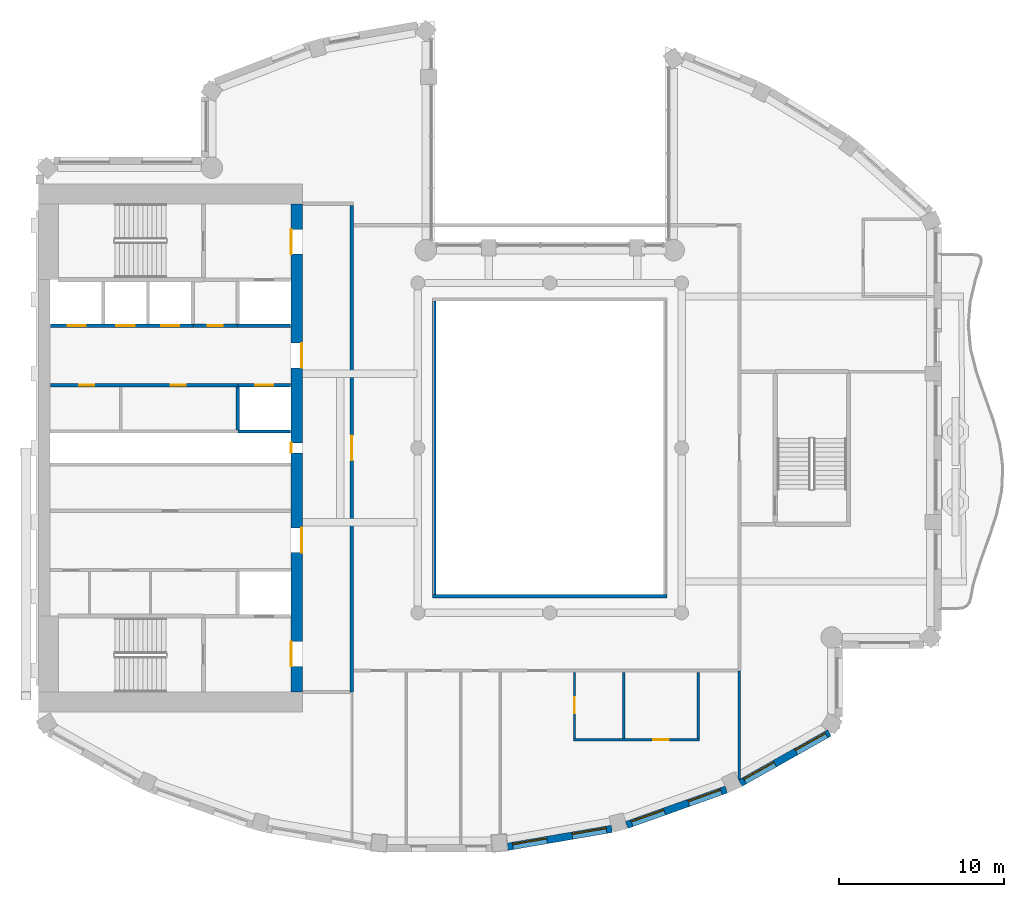
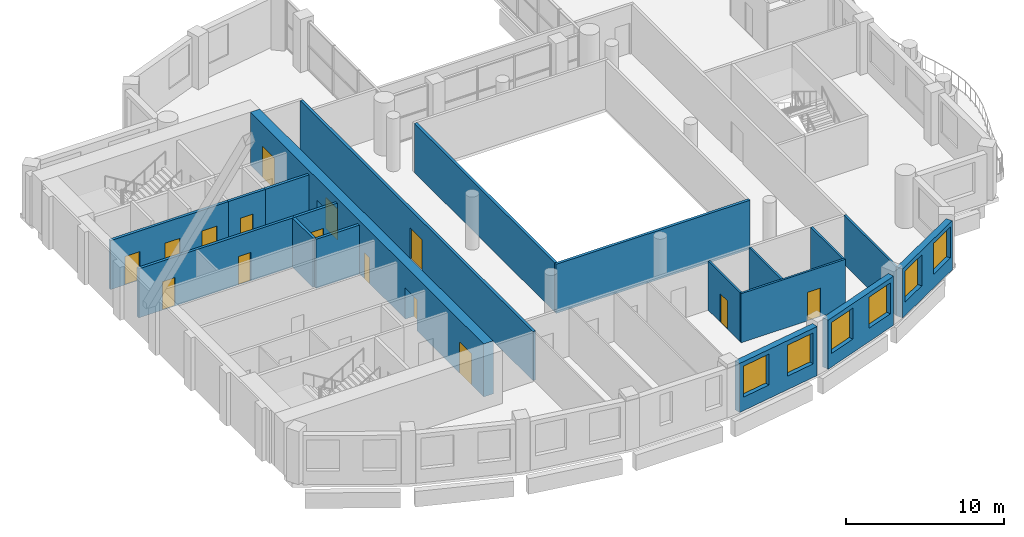
# One storey, part 5 of 15: 19 walls, 15 doors, 6 windows, 21 openings.
"""IFC4 building model written with IfcOpenShell, lengths in metres."""

from ifc_helpers import new_model, si_unit, direction, frame, frame_2d, origin, place, context, subcontext, project, spatial, rectangle, extrude, material, layer, layer_set, type_object, element, fill, save


model = new_model("IFC4")

# Units and contexts
model_context = context("Model", 3, precision=1e-05, world=origin(), true_north=direction((0.0, 1.0)))
body_context = subcontext(model_context, "Body", "Model", "MODEL_VIEW")
ifc_project = project(units=[si_unit("LENGTHUNIT", "METRE"), si_unit("AREAUNIT", "SQUARE_METRE"), si_unit("VOLUMEUNIT", "CUBIC_METRE"), si_unit("PLANEANGLEUNIT", "RADIAN"), si_unit("MASSUNIT", "GRAM", prefix="KILO")], contexts=[model_context])

# Site, building, storey
site_placement = place(None, origin())
site = spatial("IfcSite", under=ifc_project, at=site_placement, CompositionType="ELEMENT")
building_placement = place(site_placement, origin())
building = spatial("IfcBuilding", under=site, at=building_placement, Name="Cypress Arch Tower", CompositionType="ELEMENT")
storey_placement = place(building_placement, frame((0.0, 0.0, 259.800048828125)))
storey = spatial("IfcBuildingStorey", under=building, at=storey_placement, Name="L58", CompositionType="ELEMENT", Elevation=259.800048828125)

# Wall, openings, windows
ifc_material_1 = material(Name="Brick (red buff blend)", Category="masonry")
ifc_layer_1 = layer(ifc_material_1, 0.449951171875)
ifc_layer_set_1 = layer_set([ifc_layer_1], Name="Brick pier and spandrel wall BW450")
wall_type_1 = type_object("IfcWallType", Name="Brick pier and spandrel wall BW450", PredefinedType="SOLIDWALL", material=ifc_layer_set_1)
wall_1_placement = place(storey_placement, frame((-1.562255859375, -24.18505859375, 0.0), z_axis=(0.0, 0.0, 1.0), x_axis=(0.985502073964, 0.169663379113, 0.0)))
wall_1 = element("IfcWall", 1, at=wall_1_placement, inside=storey, type_object=wall_type_1, Name="Brick wall L58 C12.0", PredefinedType="SOLIDWALL", context=body_context, shape_type="SweptSolid", body=[
    extrude(rectangle(XDim=6.412109375, YDim=0.449951171875, at=frame_2d((3.2060546875, 0.0))), origin(), (0.0, 0.0, 1.0), 3.800048828125),
])
opening_1_placement = place(wall_1_placement, frame((0.3271484375, 0.0, 1.050048828125)))
opening_1 = element("IfcOpeningElement", 2, at=opening_1_placement, cuts=wall_1, Name="Opening W210O", PredefinedType="OPENING", context=body_context, shape_type="SweptSolid", body=[
    extrude(rectangle(XDim=2.10009765625, YDim=2.39990234375, at=frame_2d((1.050048828125, 1.199951171875))), frame((0.0, 0.23486328125, 0.0), z_axis=(0.0, -1.0, 0.0), x_axis=(1.0, 0.0, 0.0)), (0.0, 0.0, 1.0), 0.469970703125),
])
opening_2_placement = place(wall_1_placement, frame((3.98486328125, 0.0, 1.050048828125)))
opening_2 = element("IfcOpeningElement", 3, at=opening_2_placement, cuts=wall_1, Name="Opening W210O", PredefinedType="OPENING", context=body_context, shape_type="SweptSolid", body=[
    extrude(rectangle(XDim=2.10009765625, YDim=2.39990234375, at=frame_2d((1.050048828125, 1.199951171875))), frame((0.0, 0.23486328125, 0.0), z_axis=(0.0, -1.0, 0.0), x_axis=(1.0, 0.0, 0.0)), (0.0, 0.0, 1.0), 0.469970703125),
])
ifc_material_2 = material(Name="Anodised aluminium, bronze finish, clear low-emissivity double glazing", Category="aluminium")
window_type = type_object("IfcWindowType", Name="Window Office 2100x2400", PartitioningType="SINGLE_PANEL", PredefinedType="WINDOW", material=ifc_material_2)
window_1_placement = place(opening_1_placement, origin())
window_1 = element("IfcWindow", 4, at=window_1_placement, inside=storey, type_object=window_type, Name="Window L58 C12.0.1", OverallHeight=2.39990234375, OverallWidth=2.10009765625, PartitioningType="SINGLE_PANEL", PredefinedType="WINDOW", context=body_context, shape_type="SweptSolid", body=[
    extrude(rectangle(XDim=2.10009765625, YDim=2.39990234375, at=frame_2d((1.050048828125, 1.199951171875))), frame((0.0, 0.135009765625, 0.0), z_axis=(0.0, -1.0, 0.0), x_axis=(1.0, 0.0, 0.0)), (0.0, 0.0, 1.0), 0.06005859375),
])
fill(opening_1, window_1)
window_2_placement = place(opening_2_placement, origin())
window_2 = element("IfcWindow", 5, at=window_2_placement, inside=storey, type_object=window_type, Name="Window L58 C12.0.2", OverallHeight=2.39990234375, OverallWidth=2.10009765625, PartitioningType="SINGLE_PANEL", PredefinedType="WINDOW", context=body_context, shape_type="SweptSolid", body=[
    extrude(rectangle(XDim=2.10009765625, YDim=2.39990234375, at=frame_2d((1.050048828125, 1.199951171875))), frame((0.0, 0.135009765625, 0.0), z_axis=(0.0, -1.0, 0.0), x_axis=(1.0, 0.0, 0.0)), (0.0, 0.0, 1.0), 0.06005859375),
])
fill(opening_2, window_2)

wall_2_placement = place(storey_placement, frame((5.66455078125, -22.859375, 0.0), z_axis=(0.0, 0.0, 1.0), x_axis=(0.942108340262, 0.335308626803, 0.0)))
wall_2 = element("IfcWall", 6, at=wall_2_placement, inside=storey, type_object=wall_type_1, Name="Brick wall L58 C13.0", PredefinedType="SOLIDWALL", context=body_context, shape_type="SweptSolid", body=[
    extrude(rectangle(XDim=6.41162109375, YDim=0.449951171875, at=frame_2d((3.205810546875, 0.0))), origin(), (0.0, 0.0, 1.0), 3.800048828125),
])
opening_3_placement = place(wall_2_placement, frame((0.3271484375, 0.0, 1.050048828125)))
opening_3 = element("IfcOpeningElement", 7, at=opening_3_placement, cuts=wall_2, Name="Opening W210O", PredefinedType="OPENING", context=body_context, shape_type="SweptSolid", body=[
    extrude(rectangle(XDim=2.10009765625, YDim=2.39990234375, at=frame_2d((1.050048828125, 1.199951171875))), frame((0.0, 0.23486328125, 0.0), z_axis=(0.0, -1.0, 0.0), x_axis=(1.0, 0.0, 0.0)), (0.0, 0.0, 1.0), 0.469970703125),
])
opening_4_placement = place(wall_2_placement, frame((3.984619140625, 0.0, 1.050048828125)))
opening_4 = element("IfcOpeningElement", 8, at=opening_4_placement, cuts=wall_2, Name="Opening W210O", PredefinedType="OPENING", context=body_context, shape_type="SweptSolid", body=[
    extrude(rectangle(XDim=2.10009765625, YDim=2.39990234375, at=frame_2d((1.050048828125, 1.199951171875))), frame((0.0, 0.23486328125, 0.0), z_axis=(0.0, -1.0, 0.0), x_axis=(1.0, 0.0, 0.0)), (0.0, 0.0, 1.0), 0.469970703125),
])
window_3_placement = place(opening_3_placement, origin())
window_3 = element("IfcWindow", 9, at=window_3_placement, inside=storey, type_object=window_type, Name="Window L58 C13.0.1", OverallHeight=2.39990234375, OverallWidth=2.10009765625, PartitioningType="SINGLE_PANEL", PredefinedType="WINDOW", context=body_context, shape_type="SweptSolid", body=[
    extrude(rectangle(XDim=2.10009765625, YDim=2.39990234375, at=frame_2d((1.050048828125, 1.199951171875))), frame((0.0, 0.135009765625, 0.0), z_axis=(0.0, -1.0, 0.0), x_axis=(1.0, 0.0, 0.0)), (0.0, 0.0, 1.0), 0.06005859375),
])
fill(opening_3, window_3)
window_4_placement = place(opening_4_placement, origin())
window_4 = element("IfcWindow", 10, at=window_4_placement, inside=storey, type_object=window_type, Name="Window L58 C13.0.2", OverallHeight=2.39990234375, OverallWidth=2.10009765625, PartitioningType="SINGLE_PANEL", PredefinedType="WINDOW", context=body_context, shape_type="SweptSolid", body=[
    extrude(rectangle(XDim=2.10009765625, YDim=2.39990234375, at=frame_2d((1.050048828125, 1.199951171875))), frame((0.0, 0.135009765625, 0.0), z_axis=(0.0, -1.0, 0.0), x_axis=(1.0, 0.0, 0.0)), (0.0, 0.0, 1.0), 0.06005859375),
])
fill(opening_4, window_4)

wall_3_placement = place(storey_placement, frame((12.55908203125, -20.320068359375, 0.0), z_axis=(0.0, 0.0, 1.0), x_axis=(0.871065783524, 0.491166367714, 0.0)))
wall_3 = element("IfcWall", 11, at=wall_3_placement, inside=storey, type_object=wall_type_1, Name="Brick wall L58 C14.0", PredefinedType="SOLIDWALL", context=body_context, shape_type="SweptSolid", body=[
    extrude(rectangle(XDim=6.1962890625, YDim=0.449951171875, at=frame_2d((3.09814453125, 0.0))), origin(), (0.0, 0.0, 1.0), 3.800048828125),
])
opening_5_placement = place(wall_3_placement, frame((0.29052734375, 0.0, 1.050048828125)))
opening_5 = element("IfcOpeningElement", 12, at=opening_5_placement, cuts=wall_3, Name="Opening W210O", PredefinedType="OPENING", context=body_context, shape_type="SweptSolid", body=[
    extrude(rectangle(XDim=2.10009765625, YDim=2.39990234375, at=frame_2d((1.050048828125, 1.199951171875))), frame((0.0, 0.23486328125, 0.0), z_axis=(0.0, -1.0, 0.0), x_axis=(1.0, 0.0, 0.0)), (0.0, 0.0, 1.0), 0.469970703125),
])
opening_6_placement = place(wall_3_placement, frame((3.875244140625, 0.0, 1.050048828125)))
opening_6 = element("IfcOpeningElement", 13, at=opening_6_placement, cuts=wall_3, Name="Opening W210O", PredefinedType="OPENING", context=body_context, shape_type="SweptSolid", body=[
    extrude(rectangle(XDim=2.10009765625, YDim=2.39990234375, at=frame_2d((1.050048828125, 1.199951171875))), frame((0.0, 0.23486328125, 0.0), z_axis=(0.0, -1.0, 0.0), x_axis=(1.0, 0.0, 0.0)), (0.0, 0.0, 1.0), 0.469970703125),
])
window_5_placement = place(opening_5_placement, origin())
window_5 = element("IfcWindow", 14, at=window_5_placement, inside=storey, type_object=window_type, Name="Window L58 C14.0.1", OverallHeight=2.39990234375, OverallWidth=2.10009765625, PartitioningType="SINGLE_PANEL", PredefinedType="WINDOW", context=body_context, shape_type="SweptSolid", body=[
    extrude(rectangle(XDim=2.10009765625, YDim=2.39990234375, at=frame_2d((1.050048828125, 1.199951171875))), frame((0.0, 0.135009765625, 0.0), z_axis=(0.0, -1.0, 0.0), x_axis=(1.0, 0.0, 0.0)), (0.0, 0.0, 1.0), 0.06005859375),
])
fill(opening_5, window_5)
window_6_placement = place(opening_6_placement, origin())
window_6 = element("IfcWindow", 15, at=window_6_placement, inside=storey, type_object=window_type, Name="Window L58 C14.0.2", OverallHeight=2.39990234375, OverallWidth=2.10009765625, PartitioningType="SINGLE_PANEL", PredefinedType="WINDOW", context=body_context, shape_type="SweptSolid", body=[
    extrude(rectangle(XDim=2.10009765625, YDim=2.39990234375, at=frame_2d((1.050048828125, 1.199951171875))), frame((0.0, 0.135009765625, 0.0), z_axis=(0.0, -1.0, 0.0), x_axis=(1.0, 0.0, 0.0)), (0.0, 0.0, 1.0), 0.06005859375),
])
fill(opening_6, window_6)

# Wall, openings, doors
ifc_material_3 = material(Name="Concrete C60/75", Category="concrete")
ifc_layer_2 = layer(ifc_material_3, 0.699951171875)
ifc_layer_set_2 = layer_set([ifc_layer_2], Name="Core wall CW700 C60/75")
wall_type_2 = type_object("IfcWallType", Name="Core wall CW700 C60/75", PredefinedType="SHEAR", material=ifc_layer_set_2)
wall_4_placement = place(storey_placement, frame((-14.35009765625, -14.800048828125, 0.0), z_axis=(0.0, 0.0, 1.0), x_axis=(0.0, 1.0, 0.0)))
wall_4 = element("IfcWall", 16, at=wall_4_placement, inside=storey, type_object=wall_type_2, Name="Core wall", PredefinedType="SHEAR", context=body_context, shape_type="SweptSolid", body=[
    extrude(rectangle(XDim=29.60009765625, YDim=0.699951171875, at=frame_2d((14.800048828125, 0.0))), origin(), (0.0, 0.0, 1.0), 4.099853515625),
])
opening_7_placement = place(wall_4_placement, frame((1.550048828125, 0.0, 0.0)))
opening_7 = element("IfcOpeningElement", 17, at=opening_7_placement, cuts=wall_4, Name="Opening D07", PredefinedType="OPENING", context=body_context, shape_type="SweptSolid", body=[
    extrude(rectangle(XDim=1.5, YDim=2.39990234375, at=frame_2d((0.75, 1.199951171875))), frame((0.0, 0.35986328125, 0.0), z_axis=(0.0, -1.0, 0.0), x_axis=(1.0, 0.0, 0.0)), (0.0, 0.0, 1.0), 0.719970703125),
])
opening_8_placement = place(wall_4_placement, frame((26.550048828125, 0.0, 0.0)))
opening_8 = element("IfcOpeningElement", 18, at=opening_8_placement, cuts=wall_4, Name="Opening D07", PredefinedType="OPENING", context=body_context, shape_type="SweptSolid", body=[
    extrude(rectangle(XDim=1.5, YDim=2.39990234375, at=frame_2d((0.75, 1.199951171875))), frame((0.0, 0.35986328125, 0.0), z_axis=(0.0, -1.0, 0.0), x_axis=(1.0, 0.0, 0.0)), (0.0, 0.0, 1.0), 0.719970703125),
])
opening_9_placement = place(wall_4_placement, frame((8.449951171875, 0.0, 0.0)))
opening_9 = element("IfcOpeningElement", 19, at=opening_9_placement, cuts=wall_4, Name="Opening D07", PredefinedType="OPENING", context=body_context, shape_type="SweptSolid", body=[
    extrude(rectangle(XDim=1.5, YDim=2.39990234375, at=frame_2d((0.75, 1.199951171875))), frame((0.0, 0.35986328125, 0.0), z_axis=(0.0, -1.0, 0.0), x_axis=(1.0, 0.0, 0.0)), (0.0, 0.0, 1.0), 0.719970703125),
])
opening_10_placement = place(wall_4_placement, frame((19.64990234375, 0.0, 0.0)))
opening_10 = element("IfcOpeningElement", 20, at=opening_10_placement, cuts=wall_4, Name="Opening D07", PredefinedType="OPENING", context=body_context, shape_type="SweptSolid", body=[
    extrude(rectangle(XDim=1.5, YDim=2.39990234375, at=frame_2d((0.75, 1.199951171875))), frame((0.0, 0.35986328125, 0.0), z_axis=(0.0, -1.0, 0.0), x_axis=(1.0, 0.0, 0.0)), (0.0, 0.0, 1.0), 0.719970703125),
])
opening_11_placement = place(wall_4_placement, frame((14.5, 0.0, 0.0)))
opening_11 = element("IfcOpeningElement", 21, at=opening_11_placement, cuts=wall_4, Name="Opening D08", PredefinedType="OPENING", context=body_context, shape_type="SweptSolid", body=[
    extrude(rectangle(XDim=0.60009765625, YDim=2.0, at=frame_2d((0.300048828125, 1.0))), frame((0.0, 0.35986328125, 0.0), z_axis=(0.0, -1.0, 0.0), x_axis=(1.0, 0.0, 0.0)), (0.0, 0.0, 1.0), 0.719970703125),
])
ifc_material_4 = material(Name="Steel framed glazed door, fire resisting", Category="steel")
door_type_1 = type_object("IfcDoorType", Name="Lobby door D07 1500x2400", OperationType="DOUBLE_DOOR_SINGLE_SWING", PredefinedType="DOOR", material=ifc_material_4)
door_1_placement = place(opening_7_placement, origin())
door_1 = element("IfcDoor", 22, at=door_1_placement, inside=storey, type_object=door_type_1, Name="Lobby door", OperationType="DOUBLE_DOOR_SINGLE_SWING", OverallHeight=2.39990234375, OverallWidth=1.5, PredefinedType="DOOR", context=body_context, shape_type="SweptSolid", body=[
    extrude(rectangle(XDim=1.5, YDim=2.39990234375, at=frame_2d((0.75, 1.199951171875))), frame((0.0, 0.34521484375, 0.0), z_axis=(0.0, -1.0, 0.0), x_axis=(1.0, 0.0, 0.0)), (0.0, 0.0, 1.0), 0.050048828125),
])
fill(opening_7, door_1)
door_2_placement = place(opening_8_placement, origin())
door_2 = element("IfcDoor", 23, at=door_2_placement, inside=storey, type_object=door_type_1, Name="Lobby door", OperationType="DOUBLE_DOOR_SINGLE_SWING", OverallHeight=2.39990234375, OverallWidth=1.5, PredefinedType="DOOR", context=body_context, shape_type="SweptSolid", body=[
    extrude(rectangle(XDim=1.5, YDim=2.39990234375, at=frame_2d((0.75, 1.199951171875))), frame((0.0, 0.34521484375, 0.0), z_axis=(0.0, -1.0, 0.0), x_axis=(1.0, 0.0, 0.0)), (0.0, 0.0, 1.0), 0.050048828125),
])
fill(opening_8, door_2)
door_3_placement = place(opening_9_placement, origin())
door_3 = element("IfcDoor", 24, at=door_3_placement, inside=storey, type_object=door_type_1, Name="Lobby door", OperationType="DOUBLE_DOOR_SINGLE_SWING", OverallHeight=2.39990234375, OverallWidth=1.5, PredefinedType="DOOR", context=body_context, shape_type="SweptSolid", body=[
    extrude(rectangle(XDim=1.5, YDim=2.39990234375, at=frame_2d((0.75, 1.199951171875))), frame((0.0, -0.294921875, 0.0), z_axis=(0.0, -1.0, 0.0), x_axis=(1.0, 0.0, 0.0)), (0.0, 0.0, 1.0), 0.050048828125),
])
fill(opening_9, door_3)
door_4_placement = place(opening_10_placement, origin())
door_4 = element("IfcDoor", 25, at=door_4_placement, inside=storey, type_object=door_type_1, Name="Lobby door", OperationType="DOUBLE_DOOR_SINGLE_SWING", OverallHeight=2.39990234375, OverallWidth=1.5, PredefinedType="DOOR", context=body_context, shape_type="SweptSolid", body=[
    extrude(rectangle(XDim=1.5, YDim=2.39990234375, at=frame_2d((0.75, 1.199951171875))), frame((0.0, -0.294921875, 0.0), z_axis=(0.0, -1.0, 0.0), x_axis=(1.0, 0.0, 0.0)), (0.0, 0.0, 1.0), 0.050048828125),
])
fill(opening_10, door_4)
ifc_material_5 = material(Name="Steel access door, fire resisting", Category="steel")
door_type_2 = type_object("IfcDoorType", Name="Riser access door D08 600x2000", OperationType="SINGLE_SWING_LEFT", PredefinedType="DOOR", material=ifc_material_5)
door_5_placement = place(opening_11_placement, origin())
door_5 = element("IfcDoor", 26, at=door_5_placement, inside=storey, type_object=door_type_2, Name="Riser access door", OperationType="SINGLE_SWING_RIGHT", OverallHeight=2.0, OverallWidth=0.60009765625, PredefinedType="DOOR", context=body_context, shape_type="SweptSolid", body=[
    extrude(rectangle(XDim=0.60009765625, YDim=2.0, at=frame_2d((0.300048828125, 1.0))), frame((0.0, 0.34521484375, 0.0), z_axis=(0.0, -1.0, 0.0), x_axis=(1.0, 0.0, 0.0)), (0.0, 0.0, 1.0), 0.050048828125),
])
fill(opening_11, door_5)

ifc_material_6 = material(Name="Concrete blockwork, plastered, rated", Category="masonry")
ifc_layer_3 = layer(ifc_material_6, 0.199951171875)
ifc_layer_set_3 = layer_set([ifc_layer_3], Name="Corridor wall FW200")
wall_type_3 = type_object("IfcWallType", Name="Corridor wall FW200", PredefinedType="PARTITIONING", material=ifc_layer_set_3)
wall_5_placement = place(storey_placement, frame((-29.27001953125, 3.800048828125, 0.0), z_axis=(0.0, 0.0, 1.0), x_axis=(1.0, 0.0, 0.0)))
wall_5 = element("IfcWall", 27, at=wall_5_placement, inside=storey, type_object=wall_type_3, Name="Corridor wall", PredefinedType="PARTITIONING", context=body_context, shape_type="SweptSolid", body=[
    extrude(rectangle(XDim=11.3701171875, YDim=0.199951171875, at=frame_2d((5.68505859375, 0.0))), origin(), (0.0, 0.0, 1.0), 3.800048828125),
])
opening_12_placement = place(wall_5_placement, frame((1.75, 0.0, 0.0)))
opening_12 = element("IfcOpeningElement", 28, at=opening_12_placement, cuts=wall_5, Name="Opening D05", PredefinedType="OPENING", context=body_context, shape_type="SweptSolid", body=[
    extrude(rectangle(XDim=0.89990234375, YDim=2.199951171875, at=frame_2d((0.449951171875, 1.10009765625))), frame((0.0, 0.10986328125, 0.0), z_axis=(0.0, -1.0, 0.0), x_axis=(1.0, 0.0, 0.0)), (0.0, 0.0, 1.0), 0.219970703125),
])
opening_13_placement = place(wall_5_placement, frame((7.300048828125, 0.0, 0.0)))
opening_13 = element("IfcOpeningElement", 29, at=opening_13_placement, cuts=wall_5, Name="Opening D05", PredefinedType="OPENING", context=body_context, shape_type="SweptSolid", body=[
    extrude(rectangle(XDim=0.89990234375, YDim=2.199951171875, at=frame_2d((0.449951171875, 1.10009765625))), frame((0.0, 0.10986328125, 0.0), z_axis=(0.0, -1.0, 0.0), x_axis=(1.0, 0.0, 0.0)), (0.0, 0.0, 1.0), 0.219970703125),
])
ifc_material_7 = material(Name="Timber flush door", Category="wood")
door_type_3 = type_object("IfcDoorType", Name="Service door D05 900x2200", OperationType="SINGLE_SWING_LEFT", PredefinedType="DOOR", material=ifc_material_7)
door_6_placement = place(opening_12_placement, origin())
door_6 = element("IfcDoor", 30, at=door_6_placement, inside=storey, type_object=door_type_3, Name="Service door", OperationType="SINGLE_SWING_LEFT", OverallHeight=2.199951171875, OverallWidth=0.89990234375, PredefinedType="DOOR", context=body_context, shape_type="SweptSolid", body=[
    extrude(rectangle(XDim=0.89990234375, YDim=2.199951171875, at=frame_2d((0.449951171875, 1.10009765625))), frame((0.0, 0.02490234375, 0.0), z_axis=(0.0, -1.0, 0.0), x_axis=(1.0, 0.0, 0.0)), (0.0, 0.0, 1.0), 0.050048828125),
])
fill(opening_12, door_6)
door_7_placement = place(opening_13_placement, origin())
door_7 = element("IfcDoor", 31, at=door_7_placement, inside=storey, type_object=door_type_3, Name="Service door", OperationType="SINGLE_SWING_RIGHT", OverallHeight=2.199951171875, OverallWidth=0.89990234375, PredefinedType="DOOR", context=body_context, shape_type="SweptSolid", body=[
    extrude(rectangle(XDim=0.89990234375, YDim=2.199951171875, at=frame_2d((0.449951171875, 1.10009765625))), frame((0.0, 0.02490234375, 0.0), z_axis=(0.0, -1.0, 0.0), x_axis=(1.0, 0.0, 0.0)), (0.0, 0.0, 1.0), 0.050048828125),
])
fill(opening_13, door_7)

# Wall, opening, door
wall_6_placement = place(storey_placement, frame((-20.639892578125, 7.39990234375, 0.0), z_axis=(0.0, 0.0, 1.0), x_axis=(1.0, 0.0, 0.0)))
wall_6 = element("IfcWall", 32, at=wall_6_placement, inside=storey, type_object=wall_type_3, Name="Corridor wall", PredefinedType="PARTITIONING", context=body_context, shape_type="SweptSolid", body=[
    extrude(rectangle(XDim=2.719970703125, YDim=0.199951171875, at=frame_2d((1.35986328125, 0.0))), origin(), (0.0, 0.0, 1.0), 3.800048828125),
])
opening_14_placement = place(wall_6_placement, frame((0.89990234375, 0.0, 0.0)))
opening_14 = element("IfcOpeningElement", 33, at=opening_14_placement, cuts=wall_6, Name="Opening D05", PredefinedType="OPENING", context=body_context, shape_type="SweptSolid", body=[
    extrude(rectangle(XDim=0.89990234375, YDim=2.199951171875, at=frame_2d((0.449951171875, 1.10009765625))), frame((0.0, 0.10986328125, 0.0), z_axis=(0.0, -1.0, 0.0), x_axis=(1.0, 0.0, 0.0)), (0.0, 0.0, 1.0), 0.219970703125),
])
door_8_placement = place(opening_14_placement, origin())
door_8 = element("IfcDoor", 34, at=door_8_placement, inside=storey, type_object=door_type_3, Name="Service door", OperationType="SINGLE_SWING_LEFT", OverallHeight=2.199951171875, OverallWidth=0.89990234375, PredefinedType="DOOR", context=body_context, shape_type="SweptSolid", body=[
    extrude(rectangle(XDim=0.89990234375, YDim=2.199951171875, at=frame_2d((0.449951171875, 1.10009765625))), frame((0.0, 0.02490234375, 0.0), z_axis=(0.0, -1.0, 0.0), x_axis=(1.0, 0.0, 0.0)), (0.0, 0.0, 1.0), 0.050048828125),
])
fill(opening_14, door_8)

wall_7_placement = place(storey_placement, frame((-11.0, -14.800048828125, 0.0), z_axis=(0.0, 0.0, 1.0), x_axis=(0.0, 1.0, 0.0)))
wall_7 = element("IfcWall", 35, at=wall_7_placement, inside=storey, type_object=wall_type_3, Name="Corridor wall", PredefinedType="PARTITIONING", context=body_context, shape_type="SweptSolid", body=[
    extrude(rectangle(XDim=29.5, YDim=0.199951171875, at=frame_2d((14.75, 0.0))), origin(), (0.0, 0.0, 1.0), 3.800048828125),
])
opening_15_placement = place(wall_7_placement, frame((14.050048828125, 0.0, 0.0)))
opening_15 = element("IfcOpeningElement", 36, at=opening_15_placement, cuts=wall_7, Name="Opening D07", PredefinedType="OPENING", context=body_context, shape_type="SweptSolid", body=[
    extrude(rectangle(XDim=1.5, YDim=2.39990234375, at=frame_2d((0.75, 1.199951171875))), frame((0.0, 0.10986328125, 0.0), z_axis=(0.0, -1.0, 0.0), x_axis=(1.0, 0.0, 0.0)), (0.0, 0.0, 1.0), 0.219970703125),
])
door_9_placement = place(opening_15_placement, origin())
door_9 = element("IfcDoor", 37, at=door_9_placement, inside=storey, type_object=door_type_1, Name="Lobby door", OperationType="DOUBLE_DOOR_SINGLE_SWING", OverallHeight=2.39990234375, OverallWidth=1.5, PredefinedType="DOOR", context=body_context, shape_type="SweptSolid", body=[
    extrude(rectangle(XDim=1.5, YDim=2.39990234375, at=frame_2d((0.75, 1.199951171875))), frame((0.0, 0.02490234375, 0.0), z_axis=(0.0, -1.0, 0.0), x_axis=(1.0, 0.0, 0.0)), (0.0, 0.0, 1.0), 0.050048828125),
])
fill(opening_15, door_9)

# Walls
wall_8_placement = place(storey_placement, frame((-6.0, -8.89990234375, 0.0), z_axis=(0.0, 0.0, 1.0), x_axis=(0.0, 1.0, 0.0)))
element("IfcWall", 38, at=wall_8_placement, inside=storey, type_object=wall_type_3, Name="Corridor wall", PredefinedType="PARTITIONING", context=body_context, shape_type="SweptSolid", body=[
    extrude(rectangle(XDim=17.7998046875, YDim=0.199951171875, at=frame_2d((8.89990234375, 0.0))), origin(), (0.0, 0.0, 1.0), 3.800048828125),
])
wall_9_placement = place(storey_placement, frame((-6.10009765625, -9.0, 0.0), z_axis=(0.0, 0.0, 1.0), x_axis=(1.0, 0.0, 0.0)))
element("IfcWall", 39, at=wall_9_placement, inside=storey, type_object=wall_type_3, Name="Corridor wall", PredefinedType="PARTITIONING", context=body_context, shape_type="SweptSolid", body=[
    extrude(rectangle(XDim=14.2001953125, YDim=0.199951171875, at=frame_2d((7.10009765625, 0.0))), origin(), (0.0, 0.0, 1.0), 3.800048828125),
])

# Wall, opening, door
ifc_material_8 = material(Name="Blockwork, plastered both sides", Category="masonry")
ifc_layer_4 = layer(ifc_material_8, 0.14990234375)
ifc_layer_set_4 = layer_set([ifc_layer_4], Name="Partition PW150")
wall_type_4 = type_object("IfcWallType", Name="Partition PW150", PredefinedType="PARTITIONING", material=ifc_layer_set_4)
wall_10_placement = place(storey_placement, frame((2.5009765625, -17.625, 0.0), z_axis=(0.0, 0.0, 1.0), x_axis=(0.0, 1.0, 0.0)))
wall_10 = element("IfcWall", 40, at=wall_10_placement, inside=storey, type_object=wall_type_4, Name="Partition", PredefinedType="PARTITIONING", context=body_context, shape_type="SweptSolid", body=[
    extrude(rectangle(XDim=4.02490234375, YDim=0.14990234375, at=frame_2d((2.012451171875, 0.0))), origin(), (0.0, 0.0, 1.0), 3.800048828125),
])
opening_16_placement = place(wall_10_placement, frame((1.550048828125, 0.0, 0.0)))
opening_16 = element("IfcOpeningElement", 41, at=opening_16_placement, cuts=wall_10, Name="Opening D12", PredefinedType="OPENING", context=body_context, shape_type="SweptSolid", body=[
    extrude(rectangle(XDim=0.949951171875, YDim=2.199951171875, at=frame_2d((0.47509765625, 1.10009765625))), frame((0.0, 0.0849609375, 0.0), z_axis=(0.0, -1.0, 0.0), x_axis=(1.0, 0.0, 0.0)), (0.0, 0.0, 1.0), 0.169921875),
])
ifc_material_9 = material(Name="Timber flush door", Category="wood")
door_type_4 = type_object("IfcDoorType", Name="Room door D12 950x2200", OperationType="SINGLE_SWING_LEFT", PredefinedType="DOOR", material=ifc_material_9)
door_10_placement = place(opening_16_placement, origin())
door_10 = element("IfcDoor", 42, at=door_10_placement, inside=storey, type_object=door_type_4, Name="Room door", OperationType="SINGLE_SWING_RIGHT", OverallHeight=2.199951171875, OverallWidth=0.949951171875, PredefinedType="DOOR", context=body_context, shape_type="SweptSolid", body=[
    extrude(rectangle(XDim=0.949951171875, YDim=2.199951171875, at=frame_2d((0.47509765625, 1.10009765625))), frame((0.0, 0.02490234375, 0.0), z_axis=(0.0, -1.0, 0.0), x_axis=(1.0, 0.0, 0.0)), (0.0, 0.0, 1.0), 0.050048828125),
])
fill(opening_16, door_10)

wall_11_placement = place(storey_placement, frame((2.426025390625, -17.699951171875, 0.0), z_axis=(0.0, 0.0, 1.0), x_axis=(1.0, 0.0, 0.0)))
wall_11 = element("IfcWall", 43, at=wall_11_placement, inside=storey, type_object=wall_type_4, Name="Partition", PredefinedType="PARTITIONING", context=body_context, shape_type="SweptSolid", body=[
    extrude(rectangle(XDim=7.64990234375, YDim=0.14990234375, at=frame_2d((3.824951171875, 0.0))), origin(), (0.0, 0.0, 1.0), 3.800048828125),
])
opening_17_placement = place(wall_11_placement, frame((4.85009765625, 0.0, 0.0)))
opening_17 = element("IfcOpeningElement", 44, at=opening_17_placement, cuts=wall_11, Name="Opening D12", PredefinedType="OPENING", context=body_context, shape_type="SweptSolid", body=[
    extrude(rectangle(XDim=0.949951171875, YDim=2.199951171875, at=frame_2d((0.47509765625, 1.10009765625))), frame((0.0, 0.0849609375, 0.0), z_axis=(0.0, -1.0, 0.0), x_axis=(1.0, 0.0, 0.0)), (0.0, 0.0, 1.0), 0.169921875),
])
door_11_placement = place(opening_17_placement, origin())
door_11 = element("IfcDoor", 45, at=door_11_placement, inside=storey, type_object=door_type_4, Name="Room door", OperationType="SINGLE_SWING_LEFT", OverallHeight=2.199951171875, OverallWidth=0.949951171875, PredefinedType="DOOR", context=body_context, shape_type="SweptSolid", body=[
    extrude(rectangle(XDim=0.949951171875, YDim=2.199951171875, at=frame_2d((0.47509765625, 1.10009765625))), frame((0.0, 0.02490234375, 0.0), z_axis=(0.0, -1.0, 0.0), x_axis=(1.0, 0.0, 0.0)), (0.0, 0.0, 1.0), 0.050048828125),
])
fill(opening_17, door_11)

# Walls
for number, where, z_axis, x_axis, name in (
    (46, (5.5009765625, -17.625, 0.0), (0.0, 0.0, 1.0), (0.0, 1.0, 0.0), "Partition"),
    (47, (10.0009765625, -17.625, 0.0), (0.0, 0.0, 1.0), (0.0, 1.0, 0.0), "Partition"),
):
    element("IfcWall", number, at=place(storey_placement, frame(where, z_axis=z_axis, x_axis=x_axis)), inside=storey, type_object=wall_type_4, Name=name, PredefinedType="PARTITIONING", context=body_context, shape_type="SweptSolid", body=[
        extrude(rectangle(XDim=4.02490234375, YDim=0.14990234375, at=frame_2d((2.012451171875, 0.0))), origin(), (0.0, 0.0, 1.0), 3.800048828125),
    ])
wall_12_placement = place(storey_placement, frame((12.5, -20.09521484375, 0.0), z_axis=(0.0, 0.0, 1.0), x_axis=(0.0, 1.0, 0.0)))
element("IfcWall", 48, at=wall_12_placement, inside=storey, type_object=wall_type_4, Name="Partition", PredefinedType="PARTITIONING", context=body_context, shape_type="SweptSolid", body=[
    extrude(rectangle(XDim=6.5751953125, YDim=0.14990234375, at=frame_2d((3.28759765625, 0.0))), origin(), (0.0, 0.0, 1.0), 3.800048828125),
])

# Wall, openings, doors
ifc_material_10 = material(Name="Concrete C50/60", Category="concrete")
ifc_layer_5 = layer(ifc_material_10, 0.199951171875)
ifc_layer_set_5 = layer_set([ifc_layer_5], Name="Shaft wall SH200")
wall_type_5 = type_object("IfcWallType", Name="Shaft wall SH200", PredefinedType="SHEAR", material=ifc_layer_set_5)
wall_13_placement = place(storey_placement, frame((-29.27001953125, 7.39990234375, 0.0), z_axis=(0.0, 0.0, 1.0), x_axis=(1.0, 0.0, 0.0)))
wall_13 = element("IfcWall", 49, at=wall_13_placement, inside=storey, type_object=wall_type_5, Name="Shaft wall", PredefinedType="SHEAR", context=body_context, shape_type="SweptSolid", body=[
    extrude(rectangle(XDim=8.630126953125, YDim=0.199951171875, at=frame_2d((4.31494140625, 0.0))), origin(), (0.0, 0.0, 1.0), 3.800048828125),
])
opening_18_placement = place(wall_13_placement, frame((1.050048828125, 0.0, 0.0)))
opening_18 = element("IfcOpeningElement", 50, at=opening_18_placement, cuts=wall_13, Name="Opening LD-HR5", PredefinedType="OPENING", context=body_context, shape_type="SweptSolid", body=[
    extrude(rectangle(XDim=1.10009765625, YDim=2.199951171875, at=frame_2d((0.550048828125, 1.10009765625))), frame((0.0, 0.10986328125, 0.0), z_axis=(0.0, -1.0, 0.0), x_axis=(1.0, 0.0, 0.0)), (0.0, 0.0, 1.0), 0.219970703125),
])
opening_19_placement = place(wall_13_placement, frame((4.0, 0.0, 0.0)))
opening_19 = element("IfcOpeningElement", 51, at=opening_19_placement, cuts=wall_13, Name="Opening LD-HR6", PredefinedType="OPENING", context=body_context, shape_type="SweptSolid", body=[
    extrude(rectangle(XDim=1.10009765625, YDim=2.199951171875, at=frame_2d((0.550048828125, 1.10009765625))), frame((0.0, 0.10986328125, 0.0), z_axis=(0.0, -1.0, 0.0), x_axis=(1.0, 0.0, 0.0)), (0.0, 0.0, 1.0), 0.219970703125),
])
opening_20_placement = place(wall_13_placement, frame((6.699951171875, 0.0, 0.0)))
opening_20 = element("IfcOpeningElement", 52, at=opening_20_placement, cuts=wall_13, Name="Opening LD-HR7", PredefinedType="OPENING", context=body_context, shape_type="SweptSolid", body=[
    extrude(rectangle(XDim=1.10009765625, YDim=2.199951171875, at=frame_2d((0.550048828125, 1.10009765625))), frame((0.0, 0.10986328125, 0.0), z_axis=(0.0, -1.0, 0.0), x_axis=(1.0, 0.0, 0.0)), (0.0, 0.0, 1.0), 0.219970703125),
])
ifc_material_11 = material(Name="Stainless steel centre-opening landing door, rated", Category="steel")
door_type_5 = type_object("IfcDoorType", Name="Lift landing door LD 1100x2200", OperationType="DOUBLE_DOOR_SLIDING", PredefinedType="DOOR", material=ifc_material_11)
door_12_placement = place(opening_18_placement, origin())
door_12 = element("IfcDoor", 53, at=door_12_placement, inside=storey, type_object=door_type_5, Name="Lift landing doors HR5", OperationType="DOUBLE_DOOR_SLIDING", OverallHeight=2.199951171875, OverallWidth=1.10009765625, PredefinedType="DOOR", context=body_context, shape_type="SweptSolid", body=[
    extrude(rectangle(XDim=1.10009765625, YDim=2.199951171875, at=frame_2d((0.550048828125, 1.10009765625))), frame((0.0, 0.02490234375, 0.0), z_axis=(0.0, -1.0, 0.0), x_axis=(1.0, 0.0, 0.0)), (0.0, 0.0, 1.0), 0.050048828125),
])
fill(opening_18, door_12)
door_13_placement = place(opening_19_placement, origin())
door_13 = element("IfcDoor", 54, at=door_13_placement, inside=storey, type_object=door_type_5, Name="Lift landing doors HR6", OperationType="DOUBLE_DOOR_SLIDING", OverallHeight=2.199951171875, OverallWidth=1.10009765625, PredefinedType="DOOR", context=body_context, shape_type="SweptSolid", body=[
    extrude(rectangle(XDim=1.10009765625, YDim=2.199951171875, at=frame_2d((0.550048828125, 1.10009765625))), frame((0.0, 0.02490234375, 0.0), z_axis=(0.0, -1.0, 0.0), x_axis=(1.0, 0.0, 0.0)), (0.0, 0.0, 1.0), 0.050048828125),
])
fill(opening_19, door_13)
door_14_placement = place(opening_20_placement, origin())
door_14 = element("IfcDoor", 55, at=door_14_placement, inside=storey, type_object=door_type_5, Name="Lift landing doors HR7", OperationType="DOUBLE_DOOR_SLIDING", OverallHeight=2.199951171875, OverallWidth=1.10009765625, PredefinedType="DOOR", context=body_context, shape_type="SweptSolid", body=[
    extrude(rectangle(XDim=1.10009765625, YDim=2.199951171875, at=frame_2d((0.550048828125, 1.10009765625))), frame((0.0, 0.02490234375, 0.0), z_axis=(0.0, -1.0, 0.0), x_axis=(1.0, 0.0, 0.0)), (0.0, 0.0, 1.0), 0.050048828125),
])
fill(opening_20, door_14)

# Walls
wall_14_placement = place(storey_placement, frame((-17.919921875, 1.10009765625, 0.0), z_axis=(0.0, 0.0, 1.0), x_axis=(0.0, 1.0, 0.0)))
element("IfcWall", 56, at=wall_14_placement, inside=storey, type_object=wall_type_5, Name="Shaft wall", PredefinedType="SHEAR", context=body_context, shape_type="SweptSolid", body=[
    extrude(rectangle(XDim=2.599853515625, YDim=0.199951171875, at=frame_2d((1.2998046875, 0.0))), origin(), (0.0, 0.0, 1.0), 3.800048828125),
])
wall_15_placement = place(storey_placement, frame((-17.89990234375, 1.0, 0.0), z_axis=(0.0, 0.0, 1.0), x_axis=(1.0, 0.0, 0.0)))
element("IfcWall", 57, at=wall_15_placement, inside=storey, type_object=wall_type_5, Name="Shaft wall", PredefinedType="SHEAR", context=body_context, shape_type="SweptSolid", body=[
    extrude(rectangle(XDim=3.169921875, YDim=0.199951171875, at=frame_2d((1.5849609375, 0.0))), origin(), (0.0, 0.0, 1.0), 3.800048828125),
])

# Wall, opening, door
wall_16_placement = place(storey_placement, frame((-17.89990234375, 3.800048828125, 0.0), z_axis=(0.0, 0.0, 1.0), x_axis=(1.0, 0.0, 0.0)))
wall_16 = element("IfcWall", 58, at=wall_16_placement, inside=storey, type_object=wall_type_5, Name="Shaft wall", PredefinedType="SHEAR", context=body_context, shape_type="SweptSolid", body=[
    extrude(rectangle(XDim=3.169921875, YDim=0.199951171875, at=frame_2d((1.5849609375, 0.0))), origin(), (0.0, 0.0, 1.0), 3.800048828125),
])
opening_21_placement = place(wall_16_placement, frame((1.050048828125, 0.0, 0.0)))
opening_21 = element("IfcOpeningElement", 59, at=opening_21_placement, cuts=wall_16, Name="Opening LD-HR4", PredefinedType="OPENING", context=body_context, shape_type="SweptSolid", body=[
    extrude(rectangle(XDim=1.10009765625, YDim=2.199951171875, at=frame_2d((0.550048828125, 1.10009765625))), frame((0.0, 0.10986328125, 0.0), z_axis=(0.0, -1.0, 0.0), x_axis=(1.0, 0.0, 0.0)), (0.0, 0.0, 1.0), 0.219970703125),
])
door_15_placement = place(opening_21_placement, origin())
door_15 = element("IfcDoor", 60, at=door_15_placement, inside=storey, type_object=door_type_5, Name="Lift landing doors HR4", OperationType="DOUBLE_DOOR_SLIDING", OverallHeight=2.199951171875, OverallWidth=1.10009765625, PredefinedType="DOOR", context=body_context, shape_type="SweptSolid", body=[
    extrude(rectangle(XDim=1.10009765625, YDim=2.199951171875, at=frame_2d((0.550048828125, 1.10009765625))), frame((0.0, 0.02490234375, 0.0), z_axis=(0.0, -1.0, 0.0), x_axis=(1.0, 0.0, 0.0)), (0.0, 0.0, 1.0), 0.050048828125),
])
fill(opening_21, door_15)

# Wall
wall_17_placement = place(storey_placement, frame((-17.919921875, 7.39990234375, 0.0), z_axis=(0.0, 0.0, 1.0), x_axis=(1.0, 0.0, 0.0)))
element("IfcWall", 61, at=wall_17_placement, inside=storey, type_object=wall_type_5, Name="Shaft wall", PredefinedType="SHEAR", context=body_context, shape_type="SweptSolid", body=[
    extrude(rectangle(XDim=3.18994140625, YDim=0.199951171875, at=frame_2d((1.594970703125, 0.0))), origin(), (0.0, 0.0, 1.0), 3.800048828125),
])

save(model, "model.ifc")
